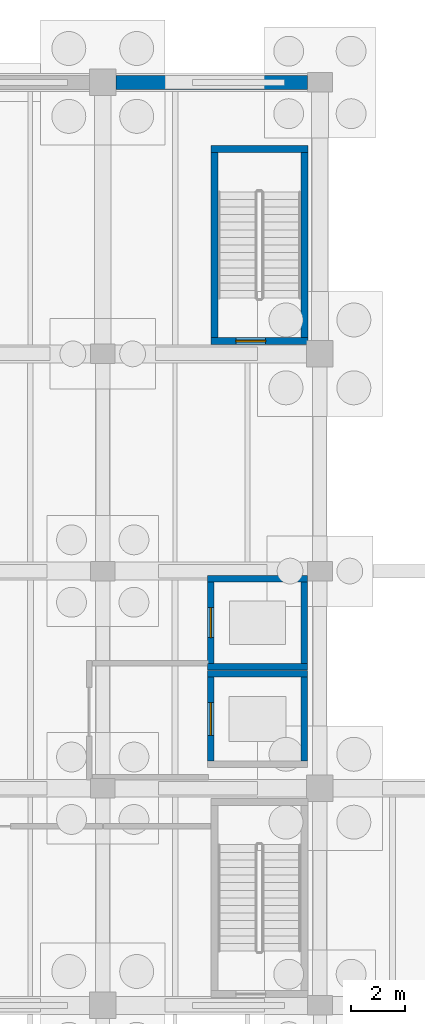
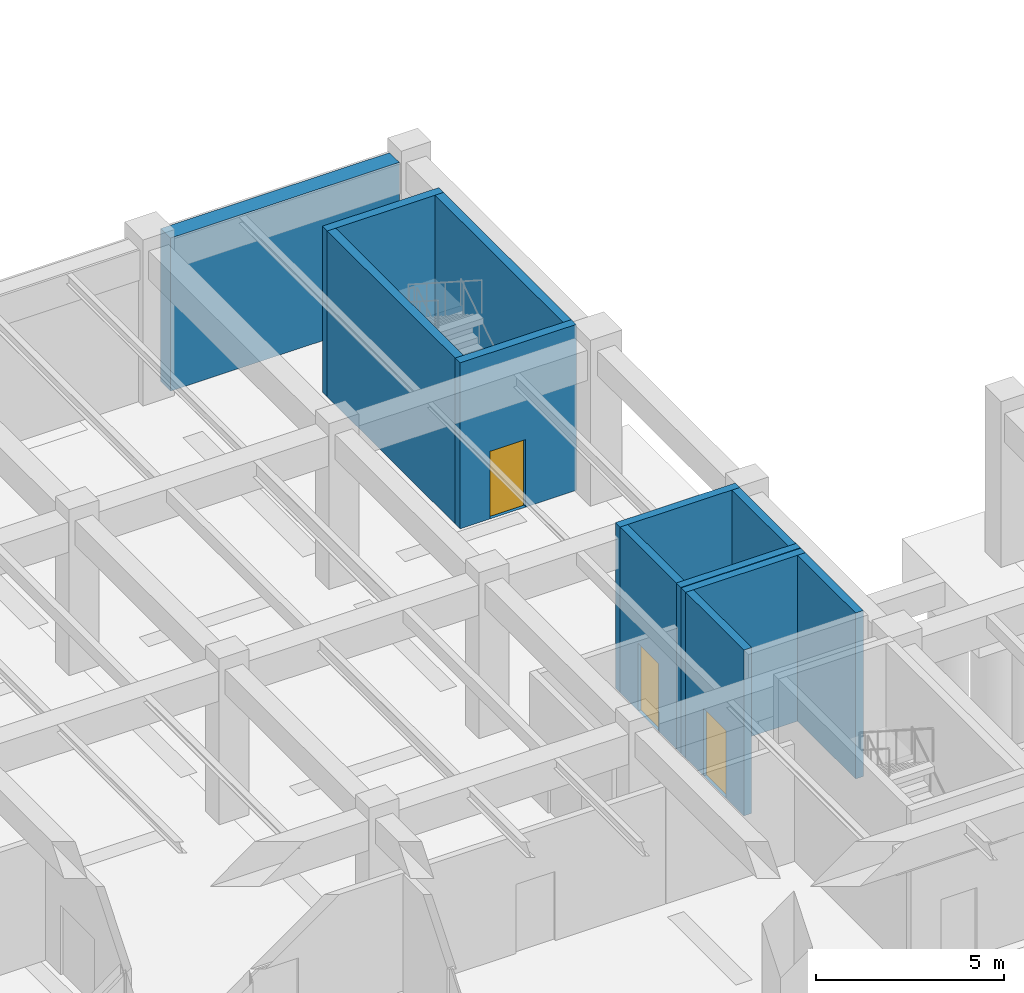
# One storey, part 28 of 44: 12 walls, 3 doors, 3 openings.
"""IFC4 building model written with IfcOpenShell, lengths in metres."""

from ifc_helpers import new_model, si_unit, direction, frame, frame_2d, origin, place, context, subcontext, project, spatial, rectangle, extrude, material, layer, layer_set, type_object, element, fill, save


model = new_model("IFC4")

# Units and contexts
model_context = context("Model", 3, precision=1e-05, world=origin(), true_north=direction((0.0, 1.0)))
body_context = subcontext(model_context, "Body", "Model", "MODEL_VIEW")
ifc_project = project(units=[si_unit("LENGTHUNIT", "METRE"), si_unit("AREAUNIT", "SQUARE_METRE"), si_unit("VOLUMEUNIT", "CUBIC_METRE"), si_unit("PLANEANGLEUNIT", "RADIAN"), si_unit("MASSUNIT", "GRAM", prefix="KILO")], contexts=[model_context])

# Site, building, storey
site_placement = place(None, origin())
site = spatial("IfcSite", under=ifc_project, at=site_placement, CompositionType="ELEMENT")
building_placement = place(site_placement, origin())
building = spatial("IfcBuilding", under=site, at=building_placement, Name="Pecanmere Concourse Central Library", CompositionType="ELEMENT")
storey_placement = place(building_placement, frame((0.0, 0.0, -5.39990234375)))
storey = spatial("IfcBuildingStorey", under=building, at=storey_placement, Name="B1", CompositionType="ELEMENT", Elevation=-5.39990234375)

# Walls
ifc_material_1 = material(Name="Concrete C40/50", Category="concrete")
ifc_layer_1 = layer(ifc_material_1, 0.52001953125, Name="WALL_RET_520")
ifc_layer_set_1 = layer_set([ifc_layer_1], Name="Concrete C40/50")
wall_type_1 = type_object("IfcWallType", Name="WALL_RET_520", PredefinedType="USERDEFINED", material=ifc_layer_set_1)
wall_1_placement = place(storey_placement, frame((96.489990234375, 124.0, 0.0), z_axis=(0.0, 0.0, 1.0), x_axis=(1.0, 0.0, 0.0)))
element("IfcWall", 1, at=wall_1_placement, inside=storey, type_object=wall_type_1, Name="Basement Retaining Wall B1-026", ObjectType="RETAININGWALL", PredefinedType="USERDEFINED", context=body_context, shape_type="SweptSolid", body=[
    extrude(rectangle(XDim=7.050048828125, YDim=0.52001953125, at=frame_2d((3.52490234375, 0.0))), origin(), (0.0, 0.0, 1.0), 4.97998046875),
])
ifc_material_2 = material(Name="Concrete C40/50", Category="concrete")
ifc_layer_2 = layer(ifc_material_2, 0.239990234375, Name="WALL_SLD_240")
ifc_layer_set_2 = layer_set([ifc_layer_2], Name="Concrete C40/50")
wall_type_2 = type_object("IfcWallType", Name="WALL_SLD_240", PredefinedType="SOLIDWALL", material=ifc_layer_set_2)
wall_2_placement = place(storey_placement, frame((99.860107421875, 102.219970703125, 0.0), z_axis=(0.0, 0.0, 1.0), x_axis=(1.0, 0.0, 0.0)))
element("IfcWall", 2, at=wall_2_placement, inside=storey, type_object=wall_type_2, Name="Hoistway Wall LF-02 B1-N", PredefinedType="SOLIDWALL", context=body_context, shape_type="SweptSolid", body=[
    extrude(rectangle(XDim=3.679931640625, YDim=0.239990234375, at=frame_2d((1.83984375, 0.0))), origin(), (0.0, 0.0, 1.0), 5.39990234375),
])

# Wall, opening, door
wall_3_placement = place(storey_placement, frame((99.97998046875, 99.0, 0.0), z_axis=(0.0, 0.0, 1.0), x_axis=(0.0, 1.0, 0.0)))
wall_3 = element("IfcWall", 3, at=wall_3_placement, inside=storey, type_object=wall_type_2, Name="Hoistway Wall LF-02 B1-W", PredefinedType="SOLIDWALL", context=body_context, shape_type="SweptSolid", body=[
    extrude(rectangle(XDim=3.10009765625, YDim=0.239990234375, at=frame_2d((1.550048828125, 0.0))), origin(), (0.0, 0.0, 1.0), 5.39990234375),
])
opening_1_placement = place(wall_3_placement, frame((0.949951171875, 0.0, 0.0)))
opening_1 = element("IfcOpeningElement", 4, at=opening_1_placement, cuts=wall_3, Name="Opening LD-02", PredefinedType="OPENING", context=body_context, shape_type="SweptSolid", body=[
    extrude(rectangle(XDim=1.199951171875, YDim=2.199951171875, at=frame_2d((0.60009765625, 1.10009765625))), frame((0.0, 0.1318359375, 0.0), z_axis=(0.0, -1.0, 0.0), x_axis=(1.0, 0.0, 0.0)), (0.0, 0.0, 1.0), 0.263916015625),
])
ifc_material_3 = material(Name="Brushed stainless steel Grade 316", Category="steel")
door_type_1 = type_object("IfcDoorType", Name="LD-02", OperationType="DOUBLE_DOOR_SLIDING", PredefinedType="DOOR", material=ifc_material_3)
door_1_placement = place(opening_1_placement, origin())
door_1 = element("IfcDoor", 5, at=door_1_placement, inside=storey, type_object=door_type_1, Name="LD-LF-02-B1", OperationType="DOUBLE_DOOR_SLIDING", OverallHeight=2.199951171875, OverallWidth=1.199951171875, PredefinedType="DOOR", context=body_context, shape_type="SweptSolid", body=[
    extrude(rectangle(XDim=1.199951171875, YDim=2.199951171875, at=frame_2d((0.60009765625, 1.10009765625))), frame((0.0, 0.02490234375, 0.0), z_axis=(0.0, -1.0, 0.0), x_axis=(1.0, 0.0, 0.0)), (0.0, 0.0, 1.0), 0.050048828125),
])
fill(opening_1, door_1)

# Walls
wall_4_placement = place(storey_placement, frame((103.419921875, 99.0, 0.0), z_axis=(0.0, 0.0, 1.0), x_axis=(0.0, 1.0, 0.0)))
element("IfcWall", 6, at=wall_4_placement, inside=storey, type_object=wall_type_2, Name="Hoistway Wall LF-02 B1-E", PredefinedType="SOLIDWALL", context=body_context, shape_type="SweptSolid", body=[
    extrude(rectangle(XDim=3.10009765625, YDim=0.239990234375, at=frame_2d((1.550048828125, 0.0))), origin(), (0.0, 0.0, 1.0), 5.39990234375),
])
for number, where, z_axis, x_axis, name in (
    (7, (99.860107421875, 102.47998046875, 0.0), (0.0, 0.0, 1.0), (1.0, 0.0, 0.0), "Hoistway Wall LP-02 B1-S"),
    (8, (99.860107421875, 105.719970703125, 0.0), (0.0, 0.0, 1.0), (1.0, 0.0, 0.0), "Hoistway Wall LP-02 B1-N"),
):
    element("IfcWall", number, at=place(storey_placement, frame(where, z_axis=z_axis, x_axis=x_axis)), inside=storey, type_object=wall_type_2, Name=name, PredefinedType="SOLIDWALL", context=body_context, shape_type="SweptSolid", body=[
        extrude(rectangle(XDim=3.679931640625, YDim=0.239990234375, at=frame_2d((1.83984375, 0.0))), origin(), (0.0, 0.0, 1.0), 5.39990234375),
    ])

# Wall, opening, door
wall_5_placement = place(storey_placement, frame((99.97998046875, 102.60009765625, 0.0), z_axis=(0.0, 0.0, 1.0), x_axis=(0.0, 1.0, 0.0)))
wall_5 = element("IfcWall", 9, at=wall_5_placement, inside=storey, type_object=wall_type_2, Name="Hoistway Wall LP-02 B1-W", PredefinedType="SOLIDWALL", context=body_context, shape_type="SweptSolid", body=[
    extrude(rectangle(XDim=3.0, YDim=0.239990234375, at=frame_2d((1.5, 0.0))), origin(), (0.0, 0.0, 1.0), 5.39990234375),
])
opening_2_placement = place(wall_5_placement, frame((0.949951171875, 0.0, 0.0)))
opening_2 = element("IfcOpeningElement", 10, at=opening_2_placement, cuts=wall_5, Name="Opening LD-01", PredefinedType="OPENING", context=body_context, shape_type="SweptSolid", body=[
    extrude(rectangle(XDim=1.10009765625, YDim=2.199951171875, at=frame_2d((0.550048828125, 1.10009765625))), frame((0.0, 0.1318359375, 0.0), z_axis=(0.0, -1.0, 0.0), x_axis=(1.0, 0.0, 0.0)), (0.0, 0.0, 1.0), 0.263916015625),
])
ifc_material_4 = material(Name="Brushed stainless steel Grade 316", Category="steel")
door_type_2 = type_object("IfcDoorType", Name="LD-01", OperationType="DOUBLE_DOOR_SLIDING", PredefinedType="DOOR", material=ifc_material_4)
door_2_placement = place(opening_2_placement, origin())
door_2 = element("IfcDoor", 11, at=door_2_placement, inside=storey, type_object=door_type_2, Name="LD-LP-02-B1", OperationType="DOUBLE_DOOR_SLIDING", OverallHeight=2.199951171875, OverallWidth=1.10009765625, PredefinedType="DOOR", context=body_context, shape_type="SweptSolid", body=[
    extrude(rectangle(XDim=1.10009765625, YDim=2.199951171875, at=frame_2d((0.550048828125, 1.10009765625))), frame((0.0, 0.02490234375, 0.0), z_axis=(0.0, -1.0, 0.0), x_axis=(1.0, 0.0, 0.0)), (0.0, 0.0, 1.0), 0.050048828125),
])
fill(opening_2, door_2)

# Wall
wall_6_placement = place(storey_placement, frame((103.419921875, 102.60009765625, 0.0), z_axis=(0.0, 0.0, 1.0), x_axis=(0.0, 1.0, 0.0)))
element("IfcWall", 12, at=wall_6_placement, inside=storey, type_object=wall_type_2, Name="Hoistway Wall LP-02 B1-E", PredefinedType="SOLIDWALL", context=body_context, shape_type="SweptSolid", body=[
    extrude(rectangle(XDim=3.0, YDim=0.239990234375, at=frame_2d((1.5, 0.0))), origin(), (0.0, 0.0, 1.0), 5.39990234375),
])

# Wall, opening, door
ifc_material_5 = material(Name="Concrete C40/50", Category="concrete")
ifc_layer_3 = layer(ifc_material_5, 0.260009765625, Name="WALL_SLD_260")
ifc_layer_set_3 = layer_set([ifc_layer_3], Name="Concrete C40/50")
wall_type_3 = type_object("IfcWallType", Name="WALL_SLD_260", PredefinedType="SOLIDWALL", material=ifc_layer_set_3)
wall_7_placement = place(storey_placement, frame((99.97998046875, 114.469970703125, 0.0), z_axis=(0.0, 0.0, 1.0), x_axis=(1.0, 0.0, 0.0)))
wall_7 = element("IfcWall", 13, at=wall_7_placement, inside=storey, type_object=wall_type_3, Name="Core C4 South Wall B1", PredefinedType="SOLIDWALL", context=body_context, shape_type="SweptSolid", body=[
    extrude(rectangle(XDim=3.580078125, YDim=0.260009765625, at=frame_2d((1.7900390625, 0.0))), origin(), (0.0, 0.0, 1.0), 5.39990234375),
])
opening_3_placement = place(wall_7_placement, frame((0.919921875, 0.0, 0.0)))
opening_3 = element("IfcOpeningElement", 14, at=opening_3_placement, cuts=wall_7, Name="Opening FD-01", PredefinedType="OPENING", context=body_context, shape_type="SweptSolid", body=[
    extrude(rectangle(XDim=1.10009765625, YDim=2.199951171875, at=frame_2d((0.550048828125, 1.10009765625))), frame((0.0, 0.14208984375, 0.0), z_axis=(0.0, -1.0, 0.0), x_axis=(1.0, 0.0, 0.0)), (0.0, 0.0, 1.0), 0.283935546875),
])
ifc_material_6 = material(Name="Painted architectural steel ASTM A36", Category="steel")
door_type_3 = type_object("IfcDoorType", Name="FD-01", OperationType="SINGLE_SWING_LEFT", PredefinedType="DOOR", material=ifc_material_6)
door_3_placement = place(opening_3_placement, origin())
door_3 = element("IfcDoor", 15, at=door_3_placement, inside=storey, type_object=door_type_3, Name="D-025", OperationType="SINGLE_SWING_LEFT", OverallHeight=2.199951171875, OverallWidth=1.10009765625, PredefinedType="DOOR", context=body_context, shape_type="SweptSolid", body=[
    extrude(rectangle(XDim=1.10009765625, YDim=2.199951171875, at=frame_2d((0.550048828125, 1.10009765625))), frame((0.0, 0.02490234375, 0.0), z_axis=(0.0, -1.0, 0.0), x_axis=(1.0, 0.0, 0.0)), (0.0, 0.0, 1.0), 0.050048828125),
])
fill(opening_3, door_3)

# Walls
wall_8_placement = place(storey_placement, frame((99.97998046875, 121.550048828125, 0.0), z_axis=(0.0, 0.0, 1.0), x_axis=(1.0, 0.0, 0.0)))
element("IfcWall", 16, at=wall_8_placement, inside=storey, type_object=wall_type_3, Name="Core C4 North Wall B1", PredefinedType="SOLIDWALL", context=body_context, shape_type="SweptSolid", body=[
    extrude(rectangle(XDim=3.580078125, YDim=0.260009765625, at=frame_2d((1.7900390625, 0.0))), origin(), (0.0, 0.0, 1.0), 5.39990234375),
])
for number, where, z_axis, x_axis, name in (
    (17, (100.110107421875, 114.60009765625, 0.0), (0.0, 0.0, 1.0), (0.0, 1.0, 0.0), "Core C4 W Wall B1"),
    (18, (103.429931640625, 114.60009765625, 0.0), (0.0, 0.0, 1.0), (0.0, 1.0, 0.0), "Core C4 E Wall B1"),
):
    element("IfcWall", number, at=place(storey_placement, frame(where, z_axis=z_axis, x_axis=x_axis)), inside=storey, type_object=wall_type_3, Name=name, PredefinedType="SOLIDWALL", context=body_context, shape_type="SweptSolid", body=[
        extrude(rectangle(XDim=6.81982421875, YDim=0.260009765625, at=frame_2d((3.409912109375, 0.0))), origin(), (0.0, 0.0, 1.0), 5.39990234375),
    ])

save(model, "model.ifc")
